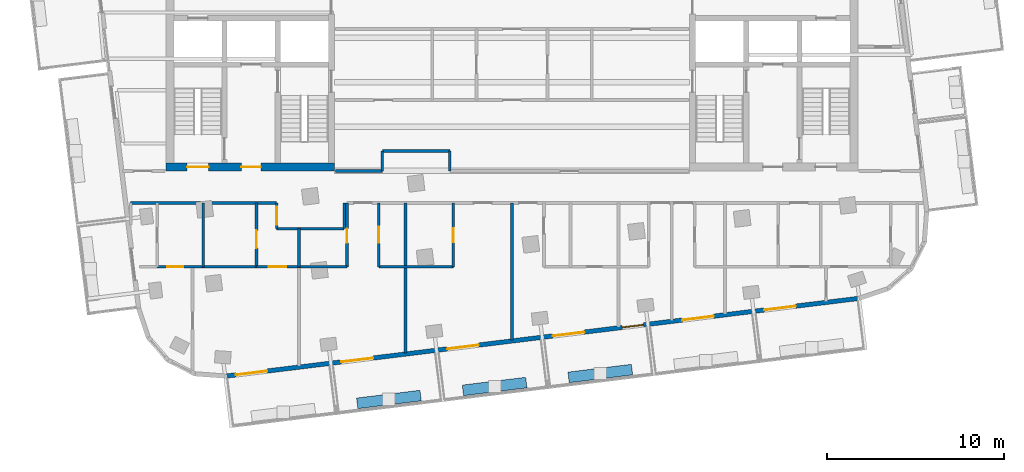
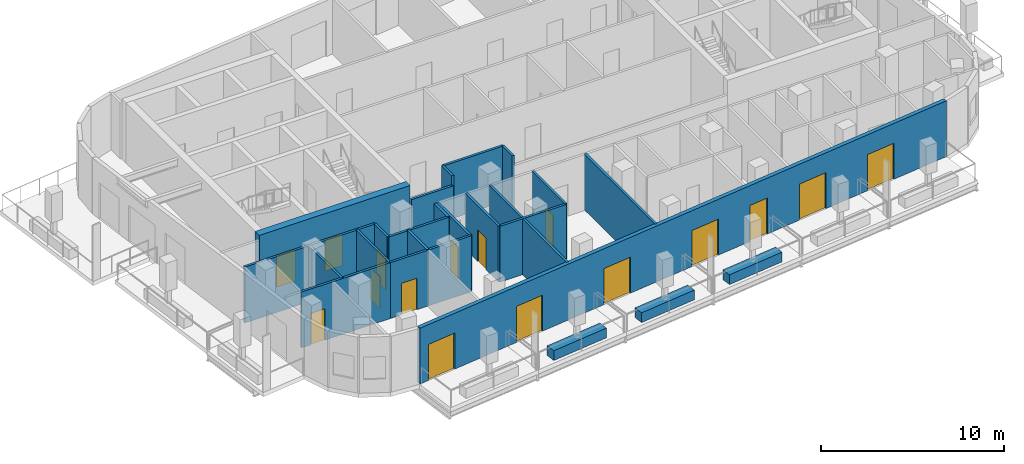
# One storey, part 3 of 11: 25 walls, 15 doors, 1 window, 16 openings.
"""IFC4 building model written with IfcOpenShell, lengths in metres."""

from ifc_helpers import new_model, si_unit, direction, frame, frame_2d, origin, place, context, subcontext, project, spatial, rectangle, extrude, material, layer, layer_set, type_object, element, fill, save


model = new_model("IFC4")

# Units and contexts
model_context = context("Model", 3, precision=1e-05, world=origin(), true_north=direction((0.0, 1.0)))
body_context = subcontext(model_context, "Body", "Model", "MODEL_VIEW")
ifc_project = project(units=[si_unit("LENGTHUNIT", "METRE"), si_unit("AREAUNIT", "SQUARE_METRE"), si_unit("VOLUMEUNIT", "CUBIC_METRE"), si_unit("PLANEANGLEUNIT", "RADIAN"), si_unit("MASSUNIT", "GRAM", prefix="KILO")], contexts=[model_context])

# Site, building, storey
site_placement = place(None, origin())
site = spatial("IfcSite", under=ifc_project, at=site_placement, CompositionType="ELEMENT")
building_placement = place(site_placement, origin())
building = spatial("IfcBuilding", under=site, at=building_placement, Name="Torana Hotel and Residences", CompositionType="ELEMENT")
storey_placement = place(building_placement, frame((0.0, 0.0, 326.60009765625)))
storey = spatial("IfcBuildingStorey", under=building, at=storey_placement, Name="L86", CompositionType="ELEMENT", Elevation=326.60009765625)

# Wall, openings, doors
ifc_material_1 = material(Name="Concrete C60/75", Category="concrete")
ifc_layer_1 = layer(ifc_material_1, 0.449951171875)
ifc_layer_set_1 = layer_set([ifc_layer_1], Name="CORE WALL 450 C60/75")
wall_type_1 = type_object("IfcWallType", Name="CORE WALL 450 C60/75", PredefinedType="SHEAR", material=ifc_layer_set_1)
wall_1_placement = place(storey_placement, frame((-19.5, -14.77490234375, 0.0), z_axis=(0.0, 0.0, 1.0), x_axis=(1.0, 0.0, 0.0)))
wall_1 = element("IfcWall", 1, at=wall_1_placement, inside=storey, type_object=wall_type_1, Name="Core wall W front", PredefinedType="SHEAR", context=body_context, shape_type="SweptSolid", body=[
    extrude(rectangle(XDim=9.5, YDim=0.449951171875, at=frame_2d((4.75, 0.0))), origin(), (0.0, 0.0, 1.0), 4.0),
])
opening_1_placement = place(wall_1_placement, frame((1.199951171875, 0.0, 0.0)))
opening_1 = element("IfcOpeningElement", 2, at=opening_1_placement, cuts=wall_1, Name="Opening L86-04", PredefinedType="OPENING", context=body_context, shape_type="SweptSolid", body=[
    extrude(rectangle(XDim=1.199951171875, YDim=2.10009765625, at=frame_2d((0.60009765625, 1.050048828125))), frame((0.0, 0.23486328125, 0.0), z_axis=(0.0, -1.0, 0.0), x_axis=(1.0, 0.0, 0.0)), (0.0, 0.0, 1.0), 0.469970703125),
])
opening_2_placement = place(wall_1_placement, frame((4.25, 0.0, 0.0)))
opening_2 = element("IfcOpeningElement", 3, at=opening_2_placement, cuts=wall_1, Name="Opening L86-05", PredefinedType="OPENING", context=body_context, shape_type="SweptSolid", body=[
    extrude(rectangle(XDim=1.10009765625, YDim=2.10009765625, at=frame_2d((0.550048828125, 1.050048828125))), frame((0.0, 0.23486328125, 0.0), z_axis=(0.0, -1.0, 0.0), x_axis=(1.0, 0.0, 0.0)), (0.0, 0.0, 1.0), 0.469970703125),
])
ifc_material_2 = material(Name="Steel S235", Category="steel")
door_type_1 = type_object("IfcDoorType", Name="FIRE-FIGHTING LOBBY DOOR D8 1100x2100", OperationType="SINGLE_SWING_LEFT", PredefinedType="DOOR", material=ifc_material_2)
door_1_placement = place(opening_2_placement, origin())
door_1 = element("IfcDoor", 4, at=door_1_placement, inside=storey, type_object=door_type_1, Name="FF-lobby door L86", OperationType="SINGLE_SWING_RIGHT", OverallHeight=2.10009765625, OverallWidth=1.10009765625, PredefinedType="DOOR", context=body_context, shape_type="SweptSolid", body=[
    extrude(rectangle(XDim=1.10009765625, YDim=2.10009765625, at=frame_2d((0.550048828125, 1.050048828125))), frame((0.0, 0.02490234375, 0.0), z_axis=(0.0, -1.0, 0.0), x_axis=(1.0, 0.0, 0.0)), (0.0, 0.0, 1.0), 0.050048828125),
])
fill(opening_2, door_1)
ifc_material_3 = material(Name="Steel S235", Category="steel")
door_type_2 = type_object("IfcDoorType", Name="STAIR FIRE DOOR D3 1200x2100", OperationType="SINGLE_SWING_LEFT", PredefinedType="DOOR", material=ifc_material_3)
door_2_placement = place(opening_1_placement, origin())
door_2 = element("IfcDoor", 5, at=door_2_placement, inside=storey, type_object=door_type_2, Name="Stair-B door L86", OperationType="SINGLE_SWING_RIGHT", OverallHeight=2.10009765625, OverallWidth=1.199951171875, PredefinedType="DOOR", context=body_context, shape_type="SweptSolid", body=[
    extrude(rectangle(XDim=1.199951171875, YDim=2.10009765625, at=frame_2d((0.60009765625, 1.050048828125))), frame((0.0, 0.02490234375, 0.0), z_axis=(0.0, -1.0, 0.0), x_axis=(1.0, 0.0, 0.0)), (0.0, 0.0, 1.0), 0.050048828125),
])
fill(opening_1, door_2)

# Wall, openings, doors, window
ifc_material_4 = material(Name="Black aluminium composite panel", Category="aluminium")
ifc_layer_2 = layer(ifc_material_4, 0.00390625, Name="Cladding", Category="cladding")
ifc_material_5 = material(Name="Ventilated air cavity")
ifc_layer_3 = layer(ifc_material_5, 0.0400390625, Name="Ventilated cavity", Category="cavity")
ifc_material_6 = material(Name="Mineral wool insulation")
ifc_layer_4 = layer(ifc_material_6, 0.090087890625, Name="Insulation", Category="insulation")
ifc_material_7 = material(Name="Steel S280GD", Category="steel")
ifc_layer_5 = layer(ifc_material_7, 0.092041015625, Name="Steel stud frame", Category="structure")
ifc_material_8 = material(Name="Fire rated plasterboard")
ifc_layer_6 = layer(ifc_material_8, 0.011962890625, Name="Inner board", Category="finish")
ifc_layer_7 = layer(ifc_material_8, 0.011962890625, Name="Second board", Category="finish")
ifc_layer_set_2 = layer_set([ifc_layer_2, ifc_layer_3, ifc_layer_4, ifc_layer_5, ifc_layer_6, ifc_layer_7], Name="EW1 EXTERNAL WALL BLACK METAL CLAD 250")
wall_type_2 = type_object("IfcWallType", Name="EW1 EXTERNAL WALL BLACK METAL CLAD 250", PredefinedType="SOLIDWALL", material=ifc_layer_set_2)
wall_2_placement = place(storey_placement, frame((-16.13818359375, -26.561279296875, 0.0), z_axis=(0.0, 0.0, 1.0), x_axis=(0.992546726876, 0.121864658405, 0.0)))
wall_2 = element("IfcWall", 6, at=wall_2_placement, inside=storey, type_object=wall_type_2, Name="External wall L86 e0.14", PredefinedType="SOLIDWALL", context=body_context, shape_type="SweptSolid", body=[
    extrude(rectangle(XDim=35.95068359375, YDim=0.25, at=frame_2d((17.975341796875, 0.0))), origin(), (0.0, 0.0, 1.0), 3.719970703125),
])
opening_3_placement = place(wall_2_placement, frame((0.574951171875, 0.0, 0.0)))
opening_3 = element("IfcOpeningElement", 7, at=opening_3_placement, cuts=wall_2, Name="Opening L86-E01", PredefinedType="OPENING", context=body_context, shape_type="SweptSolid", body=[
    extrude(rectangle(XDim=1.800048828125, YDim=2.39990234375, at=frame_2d((0.89990234375, 1.199951171875))), frame((0.0, 0.135009765625, 0.0), z_axis=(0.0, -1.0, 0.0), x_axis=(1.0, 0.0, 0.0)), (0.0, 0.0, 1.0), 0.27001953125),
])
opening_4_placement = place(wall_2_placement, frame((6.57568359375, 0.0, 0.0)))
opening_4 = element("IfcOpeningElement", 8, at=opening_4_placement, cuts=wall_2, Name="Opening L86-E02", PredefinedType="OPENING", context=body_context, shape_type="SweptSolid", body=[
    extrude(rectangle(XDim=1.800048828125, YDim=2.39990234375, at=frame_2d((0.89990234375, 1.199951171875))), frame((0.0, 0.135009765625, 0.0), z_axis=(0.0, -1.0, 0.0), x_axis=(1.0, 0.0, 0.0)), (0.0, 0.0, 1.0), 0.27001953125),
])
opening_5_placement = place(wall_2_placement, frame((12.575439453125, 0.0, 0.0)))
opening_5 = element("IfcOpeningElement", 9, at=opening_5_placement, cuts=wall_2, Name="Opening L86-E03", PredefinedType="OPENING", context=body_context, shape_type="SweptSolid", body=[
    extrude(rectangle(XDim=1.800048828125, YDim=2.39990234375, at=frame_2d((0.89990234375, 1.199951171875))), frame((0.0, 0.135009765625, 0.0), z_axis=(0.0, -1.0, 0.0), x_axis=(1.0, 0.0, 0.0)), (0.0, 0.0, 1.0), 0.27001953125),
])
opening_6_placement = place(wall_2_placement, frame((18.5751953125, 0.0, 0.0)))
opening_6 = element("IfcOpeningElement", 10, at=opening_6_placement, cuts=wall_2, Name="Opening L86-E04", PredefinedType="OPENING", context=body_context, shape_type="SweptSolid", body=[
    extrude(rectangle(XDim=1.800048828125, YDim=2.39990234375, at=frame_2d((0.89990234375, 1.199951171875))), frame((0.0, 0.135009765625, 0.0), z_axis=(0.0, -1.0, 0.0), x_axis=(1.0, 0.0, 0.0)), (0.0, 0.0, 1.0), 0.27001953125),
])
opening_7_placement = place(wall_2_placement, frame((22.527587890625, 0.0, 0.0)))
opening_7 = element("IfcOpeningElement", 11, at=opening_7_placement, cuts=wall_2, Name="Opening W9", PredefinedType="OPENING", context=body_context, shape_type="SweptSolid", body=[
    extrude(rectangle(XDim=1.199951171875, YDim=2.39990234375, at=frame_2d((0.60009765625, 1.199951171875))), frame((0.0, 0.135009765625, 0.0), z_axis=(0.0, -1.0, 0.0), x_axis=(1.0, 0.0, 0.0)), (0.0, 0.0, 1.0), 0.27001953125),
])
opening_8_placement = place(wall_2_placement, frame((25.923095703125, 0.0, 0.0)))
opening_8 = element("IfcOpeningElement", 12, at=opening_8_placement, cuts=wall_2, Name="Opening L86-E05", PredefinedType="OPENING", context=body_context, shape_type="SweptSolid", body=[
    extrude(rectangle(XDim=1.800048828125, YDim=2.39990234375, at=frame_2d((0.89990234375, 1.199951171875))), frame((0.0, 0.135009765625, 0.0), z_axis=(0.0, -1.0, 0.0), x_axis=(1.0, 0.0, 0.0)), (0.0, 0.0, 1.0), 0.27001953125),
])
opening_9_placement = place(wall_2_placement, frame((30.57568359375, 0.0, 0.0)))
opening_9 = element("IfcOpeningElement", 13, at=opening_9_placement, cuts=wall_2, Name="Opening L86-E06", PredefinedType="OPENING", context=body_context, shape_type="SweptSolid", body=[
    extrude(rectangle(XDim=1.800048828125, YDim=2.39990234375, at=frame_2d((0.89990234375, 1.199951171875))), frame((0.0, 0.135009765625, 0.0), z_axis=(0.0, -1.0, 0.0), x_axis=(1.0, 0.0, 0.0)), (0.0, 0.0, 1.0), 0.27001953125),
])
ifc_material_9 = material(Name="Dark glass in black aluminium frame", Category="aluminium")
door_type_3 = type_object("IfcDoorType", Name="DB1 BALCONY DOOR 1800x2400", OperationType="DOUBLE_DOOR_SINGLE_SWING", PredefinedType="DOOR", material=ifc_material_9)
door_3_placement = place(opening_3_placement, origin())
door_3 = element("IfcDoor", 14, at=door_3_placement, inside=storey, type_object=door_type_3, Name="Balcony door L86", OperationType="DOUBLE_DOOR_SINGLE_SWING", OverallHeight=2.39990234375, OverallWidth=1.800048828125, PredefinedType="DOOR", context=body_context, shape_type="SweptSolid", body=[
    extrude(rectangle(XDim=1.800048828125, YDim=2.39990234375, at=frame_2d((0.89990234375, 1.199951171875))), frame((0.0, 0.02490234375, 0.0), z_axis=(0.0, -1.0, 0.0), x_axis=(1.0, 0.0, 0.0)), (0.0, 0.0, 1.0), 0.050048828125),
])
fill(opening_3, door_3)
door_4_placement = place(opening_4_placement, origin())
door_4 = element("IfcDoor", 15, at=door_4_placement, inside=storey, type_object=door_type_3, Name="Balcony door L86", OperationType="DOUBLE_DOOR_SINGLE_SWING", OverallHeight=2.39990234375, OverallWidth=1.800048828125, PredefinedType="DOOR", context=body_context, shape_type="SweptSolid", body=[
    extrude(rectangle(XDim=1.800048828125, YDim=2.39990234375, at=frame_2d((0.89990234375, 1.199951171875))), frame((0.0, 0.02490234375, 0.0), z_axis=(0.0, -1.0, 0.0), x_axis=(1.0, 0.0, 0.0)), (0.0, 0.0, 1.0), 0.050048828125),
])
fill(opening_4, door_4)
door_5_placement = place(opening_5_placement, origin())
door_5 = element("IfcDoor", 16, at=door_5_placement, inside=storey, type_object=door_type_3, Name="Balcony door L86", OperationType="DOUBLE_DOOR_SINGLE_SWING", OverallHeight=2.39990234375, OverallWidth=1.800048828125, PredefinedType="DOOR", context=body_context, shape_type="SweptSolid", body=[
    extrude(rectangle(XDim=1.800048828125, YDim=2.39990234375, at=frame_2d((0.89990234375, 1.199951171875))), frame((0.0, 0.02490234375, 0.0), z_axis=(0.0, -1.0, 0.0), x_axis=(1.0, 0.0, 0.0)), (0.0, 0.0, 1.0), 0.050048828125),
])
fill(opening_5, door_5)
door_6_placement = place(opening_6_placement, origin())
door_6 = element("IfcDoor", 17, at=door_6_placement, inside=storey, type_object=door_type_3, Name="Balcony door L86", OperationType="DOUBLE_DOOR_SINGLE_SWING", OverallHeight=2.39990234375, OverallWidth=1.800048828125, PredefinedType="DOOR", context=body_context, shape_type="SweptSolid", body=[
    extrude(rectangle(XDim=1.800048828125, YDim=2.39990234375, at=frame_2d((0.89990234375, 1.199951171875))), frame((0.0, 0.02490234375, 0.0), z_axis=(0.0, -1.0, 0.0), x_axis=(1.0, 0.0, 0.0)), (0.0, 0.0, 1.0), 0.050048828125),
])
fill(opening_6, door_6)
door_7_placement = place(opening_8_placement, origin())
door_7 = element("IfcDoor", 18, at=door_7_placement, inside=storey, type_object=door_type_3, Name="Balcony door L86", OperationType="DOUBLE_DOOR_SINGLE_SWING", OverallHeight=2.39990234375, OverallWidth=1.800048828125, PredefinedType="DOOR", context=body_context, shape_type="SweptSolid", body=[
    extrude(rectangle(XDim=1.800048828125, YDim=2.39990234375, at=frame_2d((0.89990234375, 1.199951171875))), frame((0.0, 0.02490234375, 0.0), z_axis=(0.0, -1.0, 0.0), x_axis=(1.0, 0.0, 0.0)), (0.0, 0.0, 1.0), 0.050048828125),
])
fill(opening_8, door_7)
door_8_placement = place(opening_9_placement, origin())
door_8 = element("IfcDoor", 19, at=door_8_placement, inside=storey, type_object=door_type_3, Name="Balcony door L86", OperationType="DOUBLE_DOOR_SINGLE_SWING", OverallHeight=2.39990234375, OverallWidth=1.800048828125, PredefinedType="DOOR", context=body_context, shape_type="SweptSolid", body=[
    extrude(rectangle(XDim=1.800048828125, YDim=2.39990234375, at=frame_2d((0.89990234375, 1.199951171875))), frame((0.0, 0.02490234375, 0.0), z_axis=(0.0, -1.0, 0.0), x_axis=(1.0, 0.0, 0.0)), (0.0, 0.0, 1.0), 0.050048828125),
])
fill(opening_9, door_8)
ifc_material_10 = material(Name="Dark glass in black aluminium frame", Category="aluminium")
window_type = type_object("IfcWindowType", Name="W9 CLUB GLAZED SLOT 1200x2400", PartitioningType="SINGLE_PANEL", PredefinedType="WINDOW", material=ifc_material_10)
window_placement = place(opening_7_placement, origin())
window = element("IfcWindow", 20, at=window_placement, inside=storey, type_object=window_type, Name="Window L86", OverallHeight=2.39990234375, OverallWidth=1.199951171875, PartitioningType="SINGLE_PANEL", PredefinedType="WINDOW", context=body_context, shape_type="SweptSolid", body=[
    extrude(rectangle(XDim=1.199951171875, YDim=2.39990234375, at=frame_2d((0.60009765625, 1.199951171875))), frame((0.0, 0.030029296875, 0.0), z_axis=(0.0, -1.0, 0.0), x_axis=(1.0, 0.0, 0.0)), (0.0, 0.0, 1.0), 0.06005859375),
])
fill(opening_7, window)

# Walls
ifc_material_11 = material(Name="Gypsum plaster")
ifc_layer_8 = layer(ifc_material_11, 0.014892578125, Name="Plaster", Category="finish")
ifc_material_12 = material(Name="Concrete blockwork", Category="masonry")
ifc_layer_9 = layer(ifc_material_12, 0.1201171875, Name="Blockwork", Category="structure")
ifc_layer_10 = layer(ifc_material_11, 0.014892578125, Name="Plaster", Category="finish")
ifc_layer_set_3 = layer_set([ifc_layer_8, ifc_layer_9, ifc_layer_10], Name="FIRE PARTITION 150 BLOCKWORK")
wall_type_3 = type_object("IfcWallType", Name="FIRE PARTITION 150 BLOCKWORK", PredefinedType="PARTITIONING", material=ifc_layer_set_3)
for number, where, z_axis, x_axis, name in (
    (21, (-3.506103515625, -15.0, 0.0), (0.0, 0.0, 1.0), (0.0, 1.0, 0.0), "Partition L86"),
    (22, (-7.30810546875, -15.0, 0.0), (0.0, 0.0, 1.0), (0.0, 1.0, 0.0), "Partition L86"),
):
    element("IfcWall", number, at=place(storey_placement, frame(where, z_axis=z_axis, x_axis=x_axis)), inside=storey, type_object=wall_type_3, Name=name, PredefinedType="PARTITIONING", context=body_context, shape_type="SweptSolid", body=[
        extrude(rectangle(XDim=1.1279296875, YDim=0.14990234375, at=frame_2d((0.56396484375, 0.0))), origin(), (0.0, 0.0, 1.0), 3.719970703125),
    ])
wall_3_placement = place(storey_placement, frame((-9.4609375, -18.2548828125, 0.0), z_axis=(0.0, 0.0, 1.0), x_axis=(0.0, 1.0, 0.0)))
element("IfcWall", 23, at=wall_3_placement, inside=storey, type_object=wall_type_3, Name="Partition L86", PredefinedType="PARTITIONING", context=body_context, shape_type="SweptSolid", body=[
    extrude(rectangle(XDim=1.454833984375, YDim=0.14990234375, at=frame_2d((0.7275390625, 0.0))), origin(), (0.0, 0.0, 1.0), 3.719970703125),
])
wall_4_placement = place(storey_placement, frame((-12.0, -20.39990234375, 0.0), z_axis=(0.0, 0.0, 1.0), x_axis=(0.0, 1.0, 0.0)))
element("IfcWall", 24, at=wall_4_placement, inside=storey, type_object=wall_type_3, Name="Partition L86", PredefinedType="PARTITIONING", context=body_context, shape_type="SweptSolid", body=[
    extrude(rectangle(XDim=2.14501953125, YDim=0.14990234375, at=frame_2d((1.072509765625, 0.0))), origin(), (0.0, 0.0, 1.0), 3.719970703125),
])

# Wall, opening, door
wall_5_placement = place(storey_placement, frame((-13.262939453125, -18.2548828125, 0.0), z_axis=(0.0, 0.0, 1.0), x_axis=(0.0, 1.0, 0.0)))
wall_5 = element("IfcWall", 25, at=wall_5_placement, inside=storey, type_object=wall_type_3, Name="Partition L86", PredefinedType="PARTITIONING", context=body_context, shape_type="SweptSolid", body=[
    extrude(rectangle(XDim=1.454833984375, YDim=0.14990234375, at=frame_2d((0.7275390625, 0.0))), origin(), (0.0, 0.0, 1.0), 3.719970703125),
])
opening_10_placement = place(wall_5_placement, frame((0.22802734375, 0.0, 0.0)))
opening_10 = element("IfcOpeningElement", 26, at=opening_10_placement, cuts=wall_5, Name="Opening L86-23", PredefinedType="OPENING", context=body_context, shape_type="SweptSolid", body=[
    extrude(rectangle(XDim=1.0, YDim=2.10009765625, at=frame_2d((0.5, 1.050048828125))), frame((0.0, 0.0849609375, 0.0), z_axis=(0.0, -1.0, 0.0), x_axis=(1.0, 0.0, 0.0)), (0.0, 0.0, 1.0), 0.169921875),
])
ifc_material_13 = material(Name="Steel S235", Category="steel")
door_type_4 = type_object("IfcDoorType", Name="ENTRY FIRE DOOR D6 1000x2100", OperationType="SINGLE_SWING_LEFT", PredefinedType="DOOR", material=ifc_material_13)
door_9_placement = place(opening_10_placement, frame((0.5, 0.0, 0.0), z_axis=(0.0, 0.0, 1.0), x_axis=(-1.0, 0.0, 0.0)))
door_9 = element("IfcDoor", 27, at=door_9_placement, inside=storey, type_object=door_type_4, Name="Door L86", OperationType="SINGLE_SWING_LEFT", OverallHeight=2.10009765625, OverallWidth=1.0, PredefinedType="DOOR", context=body_context, shape_type="SweptSolid", body=[
    extrude(rectangle(XDim=1.0, YDim=2.10009765625, at=frame_2d((0.0, 1.050048828125))), frame((0.0, -0.02490234375, 0.0), z_axis=(0.0, 1.0, 0.0), x_axis=(-1.0, 0.0, 0.0)), (0.0, 0.0, 1.0), 0.050048828125),
])
fill(opening_10, door_9)

wall_6_placement = place(storey_placement, frame((-14.39990234375, -20.39990234375, 0.0), z_axis=(0.0, 0.0, 1.0), x_axis=(0.0, 1.0, 0.0)))
wall_6 = element("IfcWall", 28, at=wall_6_placement, inside=storey, type_object=wall_type_3, Name="Partition L86", PredefinedType="PARTITIONING", context=body_context, shape_type="SweptSolid", body=[
    extrude(rectangle(XDim=3.599853515625, YDim=0.14990234375, at=frame_2d((1.7998046875, 0.0))), origin(), (0.0, 0.0, 1.0), 3.719970703125),
])
opening_11_placement = place(wall_6_placement, frame((1.050048828125, 0.0, 0.0)))
opening_11 = element("IfcOpeningElement", 29, at=opening_11_placement, cuts=wall_6, Name="Opening L86-45", PredefinedType="OPENING", context=body_context, shape_type="SweptSolid", body=[
    extrude(rectangle(XDim=1.0, YDim=2.10009765625, at=frame_2d((0.5, 1.050048828125))), frame((0.0, 0.0849609375, 0.0), z_axis=(0.0, -1.0, 0.0), x_axis=(1.0, 0.0, 0.0)), (0.0, 0.0, 1.0), 0.169921875),
])
door_10_placement = place(opening_11_placement, origin())
door_10 = element("IfcDoor", 30, at=door_10_placement, inside=storey, type_object=door_type_4, Name="Door L86", OperationType="SINGLE_SWING_RIGHT", OverallHeight=2.10009765625, OverallWidth=1.0, PredefinedType="DOOR", context=body_context, shape_type="SweptSolid", body=[
    extrude(rectangle(XDim=1.0, YDim=2.10009765625, at=frame_2d((0.5, 1.050048828125))), frame((0.0, 0.02490234375, 0.0), z_axis=(0.0, -1.0, 0.0), x_axis=(1.0, 0.0, 0.0)), (0.0, 0.0, 1.0), 0.050048828125),
])
fill(opening_11, door_10)

wall_7_placement = place(storey_placement, frame((-14.39990234375, -20.39990234375, 0.0), z_axis=(0.0, 0.0, 1.0), x_axis=(1.0, 0.0, 0.0)))
wall_7 = element("IfcWall", 31, at=wall_7_placement, inside=storey, type_object=wall_type_3, Name="Partition L86", PredefinedType="PARTITIONING", context=body_context, shape_type="SweptSolid", body=[
    extrude(rectangle(XDim=2.39990234375, YDim=0.14990234375, at=frame_2d((1.199951171875, 0.0))), origin(), (0.0, 0.0, 1.0), 3.719970703125),
])
opening_12_placement = place(wall_7_placement, frame((0.679931640625, 0.0, 0.0)))
opening_12 = element("IfcOpeningElement", 32, at=opening_12_placement, cuts=wall_7, Name="Opening L86-46", PredefinedType="OPENING", context=body_context, shape_type="SweptSolid", body=[
    extrude(rectangle(XDim=1.0, YDim=2.10009765625, at=frame_2d((0.5, 1.050048828125))), frame((0.0, 0.0849609375, 0.0), z_axis=(0.0, -1.0, 0.0), x_axis=(1.0, 0.0, 0.0)), (0.0, 0.0, 1.0), 0.169921875),
])
door_11_placement = place(opening_12_placement, frame((0.5, 0.0, 0.0), z_axis=(0.0, 0.0, 1.0), x_axis=(-1.0, 0.0, 0.0)))
door_11 = element("IfcDoor", 33, at=door_11_placement, inside=storey, type_object=door_type_4, Name="Door L86", OperationType="SINGLE_SWING_RIGHT", OverallHeight=2.10009765625, OverallWidth=1.0, PredefinedType="DOOR", context=body_context, shape_type="SweptSolid", body=[
    extrude(rectangle(XDim=1.0, YDim=2.10009765625, at=frame_2d((0.0, 1.050048828125))), frame((0.0, -0.02490234375, 0.0), z_axis=(0.0, 1.0, 0.0), x_axis=(-1.0, 0.0, 0.0)), (0.0, 0.0, 1.0), 0.050048828125),
])
fill(opening_12, door_11)

# Walls
wall_8_placement = place(storey_placement, frame((-13.262939453125, -18.2548828125, 0.0), z_axis=(0.0, 0.0, 1.0), x_axis=(1.0, 0.0, 0.0)))
element("IfcWall", 34, at=wall_8_placement, inside=storey, type_object=wall_type_3, Name="Partition L86", PredefinedType="PARTITIONING", context=body_context, shape_type="SweptSolid", body=[
    extrude(rectangle(XDim=3.802001953125, YDim=0.14990234375, at=frame_2d((1.90087890625, 0.0))), origin(), (0.0, 0.0, 1.0), 3.719970703125),
])
wall_9_placement = place(storey_placement, frame((-21.489990234375, -16.800048828125, 0.0), z_axis=(0.0, 0.0, 1.0), x_axis=(1.0, 0.0, 0.0)))
element("IfcWall", 35, at=wall_9_placement, inside=storey, type_object=wall_type_3, Name="Partition L86", PredefinedType="PARTITIONING", context=body_context, shape_type="SweptSolid", body=[
    extrude(rectangle(XDim=8.22705078125, YDim=0.14990234375, at=frame_2d((4.113525390625, 0.0))), origin(), (0.0, 0.0, 1.0), 3.719970703125),
])
wall_10_placement = place(storey_placement, frame((-9.949951171875, -15.0, 0.0), z_axis=(0.0, 0.0, 1.0), x_axis=(1.0, 0.0, 0.0)))
element("IfcWall", 36, at=wall_10_placement, inside=storey, type_object=wall_type_3, Name="Partition L86", PredefinedType="PARTITIONING", context=body_context, shape_type="SweptSolid", body=[
    extrude(rectangle(XDim=2.641845703125, YDim=0.14990234375, at=frame_2d((1.32080078125, 0.0))), origin(), (0.0, 0.0, 1.0), 3.083984375),
])
wall_11_placement = place(storey_placement, frame((-7.30810546875, -13.8720703125, 0.0), z_axis=(0.0, 0.0, 1.0), x_axis=(1.0, 0.0, 0.0)))
element("IfcWall", 37, at=wall_11_placement, inside=storey, type_object=wall_type_3, Name="Partition L86", PredefinedType="PARTITIONING", context=body_context, shape_type="SweptSolid", body=[
    extrude(rectangle(XDim=3.802001953125, YDim=0.14990234375, at=frame_2d((1.90087890625, 0.0))), origin(), (0.0, 0.0, 1.0), 3.719970703125),
])
ifc_material_14 = material(Name="Gypsum plasterboard")
ifc_layer_11 = layer(ifc_material_14, 0.012451171875, Name="Plasterboard", Category="finish")
ifc_layer_12 = layer(ifc_material_14, 0.012451171875, Name="Plasterboard", Category="finish")
ifc_layer_13 = layer(ifc_material_7, 0.10009765625, Name="Steel studs with mineral wool", Category="insulation")
ifc_layer_14 = layer(ifc_material_14, 0.012451171875, Name="Plasterboard", Category="finish")
ifc_layer_15 = layer(ifc_material_14, 0.012451171875, Name="Plasterboard", Category="finish")
ifc_layer_set_4 = layer_set([ifc_layer_11, ifc_layer_12, ifc_layer_13, ifc_layer_14, ifc_layer_15], Name="PARTITION 150 PLASTERBOARD")
wall_type_4 = type_object("IfcWallType", Name="PARTITION 150 PLASTERBOARD", PredefinedType="PARTITIONING", material=ifc_layer_set_4)
wall_12_placement = place(storey_placement, frame((0.0, -24.5244140625, 0.0), z_axis=(0.0, 0.0, 1.0), x_axis=(0.0, 1.0, 0.0)))
element("IfcWall", 38, at=wall_12_placement, inside=storey, type_object=wall_type_4, Name="Partition L86", PredefinedType="PARTITIONING", context=body_context, shape_type="SweptSolid", body=[
    extrude(rectangle(XDim=7.724365234375, YDim=0.14990234375, at=frame_2d((3.8623046875, 0.0))), origin(), (0.0, 0.0, 1.0), 3.719970703125),
])

# Wall, opening, door
wall_13_placement = place(storey_placement, frame((-3.300048828125, -20.39990234375, 0.0), z_axis=(0.0, 0.0, 1.0), x_axis=(0.0, 1.0, 0.0)))
wall_13 = element("IfcWall", 39, at=wall_13_placement, inside=storey, type_object=wall_type_4, Name="Partition L86", PredefinedType="PARTITIONING", context=body_context, shape_type="SweptSolid", body=[
    extrude(rectangle(XDim=3.599853515625, YDim=0.14990234375, at=frame_2d((1.7998046875, 0.0))), origin(), (0.0, 0.0, 1.0), 3.719970703125),
])
opening_13_placement = place(wall_13_placement, frame((1.3798828125, 0.0, 0.0)))
opening_13 = element("IfcOpeningElement", 40, at=opening_13_placement, cuts=wall_13, Name="Opening L86-40", PredefinedType="OPENING", context=body_context, shape_type="SweptSolid", body=[
    extrude(rectangle(XDim=0.800048828125, YDim=2.10009765625, at=frame_2d((0.39990234375, 1.050048828125))), frame((0.0, 0.0849609375, 0.0), z_axis=(0.0, -1.0, 0.0), x_axis=(1.0, 0.0, 0.0)), (0.0, 0.0, 1.0), 0.169921875),
])
ifc_material_15 = material(Name="Timber door, painted", Category="wood")
door_type_5 = type_object("IfcDoorType", Name="BATH DOOR D13 800x2100", OperationType="SINGLE_SWING_LEFT", PredefinedType="DOOR", material=ifc_material_15)
door_12_placement = place(opening_13_placement, origin())
door_12 = element("IfcDoor", 41, at=door_12_placement, inside=storey, type_object=door_type_5, Name="Door L86", OperationType="SINGLE_SWING_RIGHT", OverallHeight=2.10009765625, OverallWidth=0.800048828125, PredefinedType="DOOR", context=body_context, shape_type="SweptSolid", body=[
    extrude(rectangle(XDim=0.800048828125, YDim=2.10009765625, at=frame_2d((0.39990234375, 1.050048828125))), frame((0.0, 0.02490234375, 0.0), z_axis=(0.0, -1.0, 0.0), x_axis=(1.0, 0.0, 0.0)), (0.0, 0.0, 1.0), 0.050048828125),
])
fill(opening_13, door_12)

# Wall
wall_14_placement = place(storey_placement, frame((-6.0, -25.26123046875, 0.0), z_axis=(0.0, 0.0, 1.0), x_axis=(0.0, 1.0, 0.0)))
element("IfcWall", 42, at=wall_14_placement, inside=storey, type_object=wall_type_4, Name="Partition L86", PredefinedType="PARTITIONING", context=body_context, shape_type="SweptSolid", body=[
    extrude(rectangle(XDim=8.461181640625, YDim=0.14990234375, at=frame_2d((4.23046875, 0.0))), origin(), (0.0, 0.0, 1.0), 3.719970703125),
])

# Wall, opening, door
wall_15_placement = place(storey_placement, frame((-7.5, -20.39990234375, 0.0), z_axis=(0.0, 0.0, 1.0), x_axis=(0.0, 1.0, 0.0)))
wall_15 = element("IfcWall", 43, at=wall_15_placement, inside=storey, type_object=wall_type_4, Name="Partition L86", PredefinedType="PARTITIONING", context=body_context, shape_type="SweptSolid", body=[
    extrude(rectangle(XDim=3.599853515625, YDim=0.14990234375, at=frame_2d((1.7998046875, 0.0))), origin(), (0.0, 0.0, 1.0), 3.719970703125),
])
opening_14_placement = place(wall_15_placement, frame((1.35009765625, 0.0, 0.0)))
opening_14 = element("IfcOpeningElement", 44, at=opening_14_placement, cuts=wall_15, Name="Opening L86-39", PredefinedType="OPENING", context=body_context, shape_type="SweptSolid", body=[
    extrude(rectangle(XDim=0.89990234375, YDim=2.10009765625, at=frame_2d((0.449951171875, 1.050048828125))), frame((0.0, 0.0849609375, 0.0), z_axis=(0.0, -1.0, 0.0), x_axis=(1.0, 0.0, 0.0)), (0.0, 0.0, 1.0), 0.169921875),
])
ifc_material_16 = material(Name="Timber door, oiled ash", Category="wood")
door_type_6 = type_object("IfcDoorType", Name="ROOM DOOR D7 900x2100", OperationType="SINGLE_SWING_LEFT", PredefinedType="DOOR", material=ifc_material_16)
door_13_placement = place(opening_14_placement, origin())
door_13 = element("IfcDoor", 45, at=door_13_placement, inside=storey, type_object=door_type_6, Name="Door L86", OperationType="SINGLE_SWING_LEFT", OverallHeight=2.10009765625, OverallWidth=0.89990234375, PredefinedType="DOOR", context=body_context, shape_type="SweptSolid", body=[
    extrude(rectangle(XDim=0.89990234375, YDim=2.10009765625, at=frame_2d((0.449951171875, 1.050048828125))), frame((0.0, 0.02490234375, 0.0), z_axis=(0.0, -1.0, 0.0), x_axis=(1.0, 0.0, 0.0)), (0.0, 0.0, 1.0), 0.050048828125),
])
fill(opening_14, door_13)

wall_16_placement = place(storey_placement, frame((-9.300048828125, -20.39990234375, 0.0), z_axis=(0.0, 0.0, 1.0), x_axis=(0.0, 1.0, 0.0)))
wall_16 = element("IfcWall", 46, at=wall_16_placement, inside=storey, type_object=wall_type_4, Name="Partition L86", PredefinedType="PARTITIONING", context=body_context, shape_type="SweptSolid", body=[
    extrude(rectangle(XDim=3.599853515625, YDim=0.14990234375, at=frame_2d((1.7998046875, 0.0))), origin(), (0.0, 0.0, 1.0), 3.719970703125),
])
opening_15_placement = place(wall_16_placement, frame((1.35009765625, 0.0, 0.0)))
opening_15 = element("IfcOpeningElement", 47, at=opening_15_placement, cuts=wall_16, Name="Opening L86-38", PredefinedType="OPENING", context=body_context, shape_type="SweptSolid", body=[
    extrude(rectangle(XDim=0.800048828125, YDim=2.10009765625, at=frame_2d((0.39990234375, 1.050048828125))), frame((0.0, 0.0849609375, 0.0), z_axis=(0.0, -1.0, 0.0), x_axis=(1.0, 0.0, 0.0)), (0.0, 0.0, 1.0), 0.169921875),
])
door_14_placement = place(opening_15_placement, frame((0.39990234375, 0.0, 0.0), z_axis=(0.0, 0.0, 1.0), x_axis=(-1.0, 0.0, 0.0)))
door_14 = element("IfcDoor", 48, at=door_14_placement, inside=storey, type_object=door_type_5, Name="Door L86", OperationType="SINGLE_SWING_RIGHT", OverallHeight=2.10009765625, OverallWidth=0.800048828125, PredefinedType="DOOR", context=body_context, shape_type="SweptSolid", body=[
    extrude(rectangle(XDim=0.800048828125, YDim=2.10009765625, at=frame_2d((0.0, 1.050048828125))), frame((0.0, -0.02490234375, 0.0), z_axis=(0.0, 1.0, 0.0), x_axis=(-1.0, 0.0, 0.0)), (0.0, 0.0, 1.0), 0.050048828125),
])
fill(opening_15, door_14)

# Wall
wall_17_placement = place(storey_placement, frame((-17.39990234375, -20.39990234375, 0.0), z_axis=(0.0, 0.0, 1.0), x_axis=(0.0, 1.0, 0.0)))
element("IfcWall", 49, at=wall_17_placement, inside=storey, type_object=wall_type_4, Name="Partition L86", PredefinedType="PARTITIONING", context=body_context, shape_type="SweptSolid", body=[
    extrude(rectangle(XDim=3.599853515625, YDim=0.14990234375, at=frame_2d((1.7998046875, 0.0))), origin(), (0.0, 0.0, 1.0), 3.719970703125),
])

# Wall, opening, door
wall_18_placement = place(storey_placement, frame((-19.989990234375, -20.39990234375, 0.0), z_axis=(0.0, 0.0, 1.0), x_axis=(1.0, 0.0, 0.0)))
wall_18 = element("IfcWall", 50, at=wall_18_placement, inside=storey, type_object=wall_type_4, Name="Partition L86", PredefinedType="PARTITIONING", context=body_context, shape_type="SweptSolid", body=[
    extrude(rectangle(XDim=5.590087890625, YDim=0.14990234375, at=frame_2d((2.794921875, 0.0))), origin(), (0.0, 0.0, 1.0), 3.719970703125),
])
opening_16_placement = place(wall_18_placement, frame((0.570068359375, 0.0, 0.0)))
opening_16 = element("IfcOpeningElement", 51, at=opening_16_placement, cuts=wall_18, Name="Opening L86-47", PredefinedType="OPENING", context=body_context, shape_type="SweptSolid", body=[
    extrude(rectangle(XDim=0.89990234375, YDim=2.10009765625, at=frame_2d((0.449951171875, 1.050048828125))), frame((0.0, 0.0849609375, 0.0), z_axis=(0.0, -1.0, 0.0), x_axis=(1.0, 0.0, 0.0)), (0.0, 0.0, 1.0), 0.169921875),
])
door_15_placement = place(opening_16_placement, origin())
door_15 = element("IfcDoor", 52, at=door_15_placement, inside=storey, type_object=door_type_6, Name="Door L86", OperationType="SINGLE_SWING_RIGHT", OverallHeight=2.10009765625, OverallWidth=0.89990234375, PredefinedType="DOOR", context=body_context, shape_type="SweptSolid", body=[
    extrude(rectangle(XDim=0.89990234375, YDim=2.10009765625, at=frame_2d((0.449951171875, 1.050048828125))), frame((0.0, 0.02490234375, 0.0), z_axis=(0.0, -1.0, 0.0), x_axis=(1.0, 0.0, 0.0)), (0.0, 0.0, 1.0), 0.050048828125),
])
fill(opening_16, door_15)

# Walls
wall_19_placement = place(storey_placement, frame((-12.0, -20.39990234375, 0.0), z_axis=(0.0, 0.0, 1.0), x_axis=(1.0, 0.0, 0.0)))
element("IfcWall", 53, at=wall_19_placement, inside=storey, type_object=wall_type_4, Name="Partition L86", PredefinedType="PARTITIONING", context=body_context, shape_type="SweptSolid", body=[
    extrude(rectangle(XDim=2.699951171875, YDim=0.14990234375, at=frame_2d((1.35009765625, 0.0))), origin(), (0.0, 0.0, 1.0), 3.719970703125),
])
wall_20_placement = place(storey_placement, frame((-7.5, -20.39990234375, 0.0), z_axis=(0.0, 0.0, 1.0), x_axis=(1.0, 0.0, 0.0)))
element("IfcWall", 54, at=wall_20_placement, inside=storey, type_object=wall_type_4, Name="Partition L86", PredefinedType="PARTITIONING", context=body_context, shape_type="SweptSolid", body=[
    extrude(rectangle(XDim=4.199951171875, YDim=0.14990234375, at=frame_2d((2.10009765625, 0.0))), origin(), (0.0, 0.0, 1.0), 3.719970703125),
])
ifc_material_17 = material(Name="Concrete C40/50 precast", Category="concrete")
ifc_layer_16 = layer(ifc_material_17, 0.10009765625, Name="Planter shell", Category="structure")
ifc_material_18 = material(Name="Root resistant membrane")
ifc_layer_17 = layer(ifc_material_18, 0.00390625, Name="Waterproofing membrane", Category="membrane")
ifc_material_19 = material(Name="Drainage board with filter fleece")
ifc_layer_18 = layer(ifc_material_19, 0.02001953125, Name="Drainage board", Category="drainage")
ifc_material_20 = material(Name="Growing medium")
ifc_layer_19 = layer(ifc_material_20, 0.47607421875, Name="Planting substrate", Category="soil")
ifc_layer_set_5 = layer_set([ifc_layer_16, ifc_layer_17, ifc_layer_18, ifc_layer_19], Name="PL1 BALCONY PLANTER 600")
wall_type_5 = type_object("IfcWallType", Name="PL1 BALCONY PLANTER 600", PredefinedType="USERDEFINED", material=ifc_layer_set_5)
for number, where, z_axis, x_axis, name in (
    (55, (-5.147705078125, -27.6552734375, 0.0), (0.0, 0.0, 1.0), (-0.992545758265, -0.121872547154, 0.0), "Planter 02"),
    (56, (0.8076171875, -26.924072265625, 0.0), (0.0, 0.0, 1.0), (-0.992545758265, -0.121872547154, 0.0), "Planter 03"),
):
    element("IfcWall", number, at=place(storey_placement, frame(where, z_axis=z_axis, x_axis=x_axis)), inside=storey, type_object=wall_type_5, Name=name, ObjectType="PLANTER", PredefinedType="USERDEFINED", context=body_context, shape_type="SweptSolid", body=[
        extrude(rectangle(XDim=3.599853515625, YDim=0.60009765625, at=frame_2d((1.7998046875, 0.0))), origin(), (0.0, 0.0, 1.0), 0.64990234375),
    ])
wall_21_placement = place(storey_placement, frame((6.762939453125, -26.19287109375, 0.0), z_axis=(0.0, 0.0, 1.0), x_axis=(-0.992546765488, -0.121864343918, 0.0)))
element("IfcWall", 57, at=wall_21_placement, inside=storey, type_object=wall_type_5, Name="Planter 04", ObjectType="PLANTER", PredefinedType="USERDEFINED", context=body_context, shape_type="SweptSolid", body=[
    extrude(rectangle(XDim=3.60009765625, YDim=0.60009765625, at=frame_2d((1.800048828125, 0.0))), origin(), (0.0, 0.0, 1.0), 0.64990234375),
])

save(model, "model.ifc")
